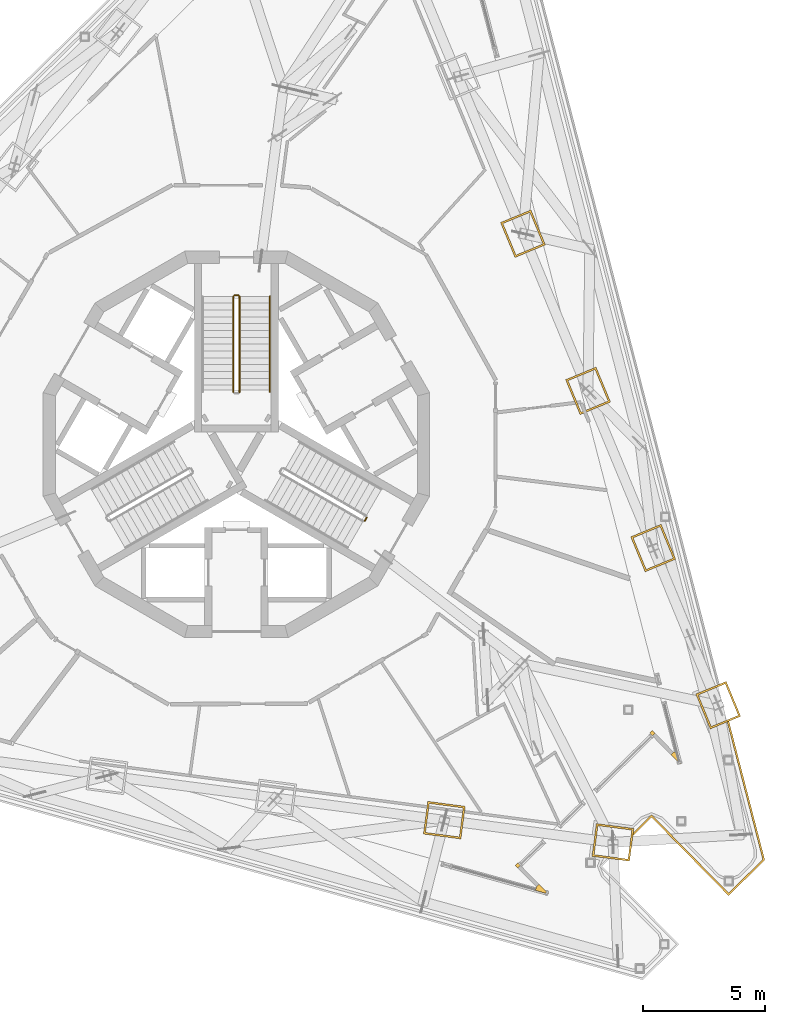
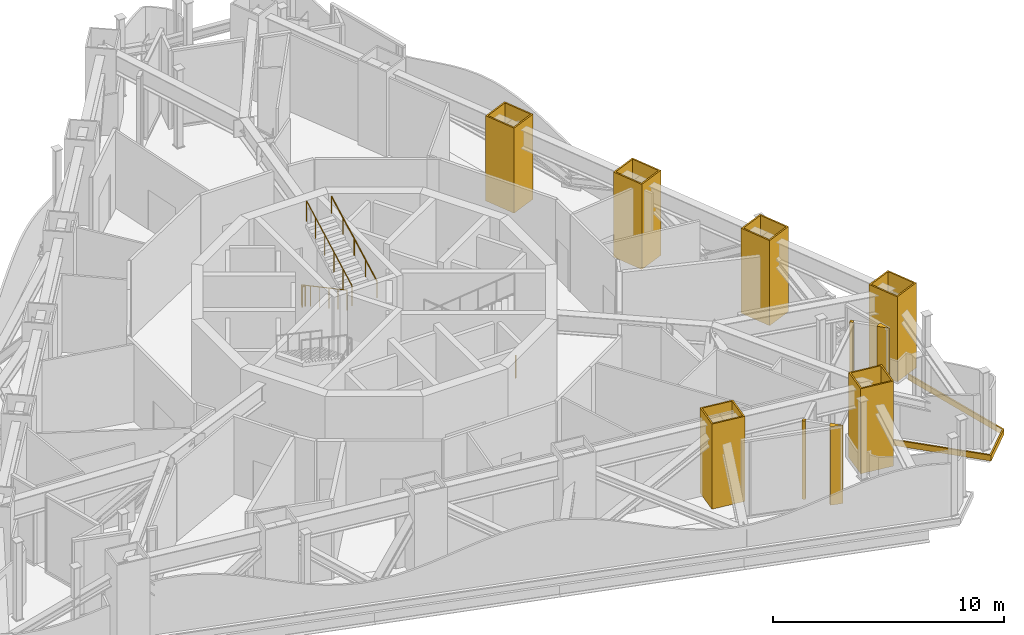
# One storey, part 20 of 22: 11 coverings, 5 railings.
"""IFC4 building model written with IfcOpenShell, lengths in metres."""

from ifc_helpers import new_model, si_unit, direction, frame, origin, origin_2d, place, context, subcontext, project, spatial, polyline, circle, outline, extrude, material, layer, layer_set, type_object, element, save


model = new_model("IFC4")

# Units and contexts
model_context = context("Model", 3, precision=1e-05, world=origin(), true_north=direction((0.0, 1.0)))
body_context = subcontext(model_context, "Body", "Model", "MODEL_VIEW")
ifc_project = project(units=[si_unit("LENGTHUNIT", "METRE"), si_unit("AREAUNIT", "SQUARE_METRE"), si_unit("VOLUMEUNIT", "CUBIC_METRE"), si_unit("PLANEANGLEUNIT", "RADIAN"), si_unit("MASSUNIT", "GRAM", prefix="KILO")], contexts=[model_context])

# Site, building, storey
site_placement = place(None, origin())
site = spatial("IfcSite", under=ifc_project, at=site_placement, CompositionType="ELEMENT")
building_placement = place(site_placement, origin())
building = spatial("IfcBuilding", under=site, at=building_placement, Name="Trine Commons Tower", CompositionType="ELEMENT")
storey_placement = place(building_placement, frame((0.0, 0.0, 267.300048828125)))
storey = spatial("IfcBuildingStorey", under=building, at=storey_placement, Name="L70", CompositionType="ELEMENT", Elevation=267.300048828125)

# Coverings
ifc_material_1 = material(Name="Aluminium-framed insulated wall panel", Category="aluminium")
ifc_layer_1 = layer(ifc_material_1, 0.14990234375)
ifc_layer_set_1 = layer_set([ifc_layer_1], Name="Aluminium-framed insulated wall panel")
covering_type_1 = type_object("IfcCoveringType", Name="Glazing corner post, aluminium", PredefinedType="CLADDING", material=ifc_layer_set_1)
covering_1_placement = place(storey_placement, origin())
element("IfcCovering", 1, at=covering_1_placement, inside=storey, type_object=covering_type_1, Name="Glazing corner post 7-06", PredefinedType="CLADDING", context=body_context, shape_type="SweptSolid", body=[
    extrude(outline(polyline([(97.80859375, 49.78515625), (98.200927734375, 49.3857421875), (98.060791015625, 49.927734375), (97.91552734375, 49.890380859375), (97.91552734375, 49.890380859375), (97.80859375, 49.78515625)])), origin(), (0.0, 0.0, 1.0), 4.14990234375),
])
covering_2_placement = place(storey_placement, origin())
element("IfcCovering", 2, at=covering_2_placement, inside=storey, type_object=covering_type_1, Name="Glazing corner post 7-07", PredefinedType="CLADDING", context=body_context, shape_type="SweptSolid", body=[
    extrude(outline(polyline([(96.9423828125, 50.66650390625), (97.047607421875, 50.5595703125), (97.154541015625, 50.66455078125), (97.04931640625, 50.771484375), (96.9423828125, 50.66650390625)])), origin(), (0.0, 0.0, 1.0), 4.14990234375),
])
covering_3_placement = place(storey_placement, origin())
element("IfcCovering", 3, at=covering_3_placement, inside=storey, type_object=covering_type_1, Name="Glazing corner post 7-08", PredefinedType="CLADDING", context=body_context, shape_type="SweptSolid", body=[
    extrude(outline(polyline([(91.5341796875, 45.1416015625), (91.64111328125, 45.24658203125), (91.535888671875, 45.353515625), (91.428955078125, 45.24853515625), (91.5341796875, 45.1416015625)])), origin(), (0.0, 0.0, 1.0), 4.14990234375),
])
covering_4_placement = place(storey_placement, origin())
element("IfcCovering", 4, at=covering_4_placement, inside=storey, type_object=covering_type_1, Name="Glazing corner post 7-09", PredefinedType="CLADDING", context=body_context, shape_type="SweptSolid", body=[
    extrude(outline(polyline([(92.255126953125, 44.222412109375), (92.79443359375, 44.072998046875), (92.402099609375, 44.47216796875), (92.295166015625, 44.3671875), (92.255126953125, 44.222412109375)])), origin(), (0.0, 0.0, 1.0), 4.14990234375),
])
ifc_material_2 = material(Name="Limestone, honed", Category="masonry")
ifc_layer_2 = layer(ifc_material_2, 0.074951171875)
ifc_layer_set_2 = layer_set([ifc_layer_2], Name="Limestone, honed")
covering_type_2 = type_object("IfcCoveringType", Name="Limestone column cladding 75", PredefinedType="CLADDING", material=ifc_layer_set_2)
covering_5_placement = place(storey_placement, origin())
element("IfcCovering", 5, at=covering_5_placement, inside=storey, type_object=covering_type_2, Name="Limestone pier cladding 8-01", PredefinedType="CLADDING", context=body_context, shape_type="SweptSolid", body=[
    extrude(outline(polyline([(94.75439453125, 46.958984375), (94.578369140625, 45.62060546875), (96.114990234375, 45.418212890625), (96.291259765625, 46.7568359375), (94.75439453125, 46.958984375)]), holes=[polyline([(94.819091796875, 46.875), (94.66259765625, 45.685302734375), (96.050537109375, 45.50244140625), (96.20703125, 46.692138671875), (94.819091796875, 46.875)])]), origin(), (0.0, 0.0, 1.0), 4.5),
])
covering_6_placement = place(storey_placement, origin())
element("IfcCovering", 6, at=covering_6_placement, inside=storey, type_object=covering_type_2, Name="Limestone pier cladding 8-02", PredefinedType="CLADDING", context=body_context, shape_type="SweptSolid", body=[
    extrude(outline(polyline([(87.84130859375, 47.869384765625), (87.665283203125, 46.53076171875), (89.201904296875, 46.32861328125), (89.378173828125, 47.6669921875), (87.84130859375, 47.869384765625)]), holes=[polyline([(87.906005859375, 47.78515625), (87.74951171875, 46.595458984375), (89.137451171875, 46.41259765625), (89.2939453125, 47.602294921875), (87.906005859375, 47.78515625)])]), origin(), (0.0, 0.0, 1.0), 4.5),
])
covering_7_placement = place(storey_placement, origin())
element("IfcCovering", 7, at=covering_7_placement, inside=storey, type_object=covering_type_2, Name="Limestone pier cladding 8-15", PredefinedType="CLADDING", context=body_context, shape_type="SweptSolid", body=[
    extrude(outline(polyline([(92.072265625, 72.113037109375), (90.8251953125, 71.596435546875), (91.418212890625, 70.164306640625), (92.66552734375, 70.680908203125), (92.072265625, 72.113037109375)]), holes=[polyline([(92.03173828125, 72.014892578125), (90.923095703125, 71.555908203125), (91.458984375, 70.262451171875), (92.5673828125, 70.7216796875), (92.03173828125, 72.014892578125)])]), origin(), (0.0, 0.0, 1.0), 4.5),
])
covering_8_placement = place(storey_placement, origin())
element("IfcCovering", 8, at=covering_8_placement, inside=storey, type_object=covering_type_2, Name="Limestone pier cladding 8-16", PredefinedType="CLADDING", context=body_context, shape_type="SweptSolid", body=[
    extrude(outline(polyline([(94.740478515625, 65.6708984375), (93.493408203125, 65.154296875), (94.086669921875, 63.722412109375), (95.333740234375, 64.239013671875), (94.740478515625, 65.6708984375)]), holes=[polyline([(94.699951171875, 65.572998046875), (93.59130859375, 65.11376953125), (94.127197265625, 63.8203125), (95.23583984375, 64.279541015625), (94.699951171875, 65.572998046875)])]), origin(), (0.0, 0.0, 1.0), 4.5),
])
covering_9_placement = place(storey_placement, origin())
element("IfcCovering", 9, at=covering_9_placement, inside=storey, type_object=covering_type_2, Name="Limestone pier cladding 8-17", PredefinedType="CLADDING", context=body_context, shape_type="SweptSolid", body=[
    extrude(outline(polyline([(97.408935546875, 59.22900390625), (96.16162109375, 58.71240234375), (96.7548828125, 57.280517578125), (98.002197265625, 57.797119140625), (97.408935546875, 59.22900390625)]), holes=[polyline([(97.368408203125, 59.131103515625), (96.259765625, 58.671875), (96.79541015625, 57.37841796875), (97.904052734375, 57.837646484375), (97.368408203125, 59.131103515625)])]), origin(), (0.0, 0.0, 1.0), 4.5),
])
covering_10_placement = place(storey_placement, origin())
element("IfcCovering", 10, at=covering_10_placement, inside=storey, type_object=covering_type_2, Name="Limestone pier cladding 8-18", PredefinedType="CLADDING", context=body_context, shape_type="SweptSolid", body=[
    extrude(outline(polyline([(100.077392578125, 52.787109375), (98.830078125, 52.2705078125), (99.42333984375, 50.83837890625), (100.67041015625, 51.35498046875), (100.077392578125, 52.787109375)]), holes=[polyline([(100.03662109375, 52.689208984375), (98.927978515625, 52.22998046875), (99.4638671875, 50.9365234375), (100.572509765625, 51.395751953125), (100.03662109375, 52.689208984375)])]), origin(), (0.0, 0.0, 1.0), 4.5),
])
ifc_layer_3 = layer(ifc_material_2, 0.074951171875)
ifc_layer_set_3 = layer_set([ifc_layer_3], Name="Limestone, honed")
covering_type_3 = type_object("IfcCoveringType", Name="Limestone spandrel panel 75", PredefinedType="CLADDING", material=ifc_layer_set_3)
covering_11_placement = place(storey_placement, frame((0.0, 0.0, -0.300048828125)))
element("IfcCovering", 11, at=covering_11_placement, inside=storey, type_object=covering_type_3, Name="Limestone spandrel panel 7-03", PredefinedType="CLADDING", context=body_context, shape_type="SweptSolid", body=[
    extrude(outline(polyline([(97.018310546875, 47.215087890625), (100.172607421875, 44.00537109375), (101.65771484375, 45.465087890625), (100.186279296875, 51.154541015625), (100.116455078125, 51.12548828125), (101.57421875, 45.488037109375), (100.17333984375, 44.111572265625), (97.019287109375, 47.321044921875), (96.268310546875, 46.583251953125), (96.25244140625, 46.46240234375), (97.018310546875, 47.215087890625)])), origin(), (0.0, 0.0, 1.0), 0.300048828125),
])

# Railings
ifc_material_3 = material(Name="Stainless steel balustrade", Category="steel")
railing_type_1 = type_object("IfcRailingType", Name="Stair guard, steel balustrade 1100", PredefinedType="GUARDRAIL", material=ifc_material_3)
railing_1_placement = place(storey_placement, frame((79.875, 68.570556640625, 0.14990234375)))
element("IfcRailing", 12, at=railing_1_placement, inside=storey, type_object=railing_type_1, Name="L70 ST1D stair guard 1", PredefinedType="GUARDRAIL", context=body_context, shape_type="SweptSolid", body=[
    extrude(circle(Radius=0.02392578125, at=origin_2d()), frame((0.0, 0.0, 1.076171875), z_axis=(0.0, -0.881466911329, 0.472245787945), x_axis=(1.0, 0.0, 0.0)), (0.0, 0.0, 1.0), 4.447021484375),
    extrude(circle(Radius=0.02099609375, at=origin_2d()), origin(), (0.0, 0.0, 1.0), 1.052001953125),
    extrude(circle(Radius=0.02099609375, at=origin_2d()), frame((0.0, -0.783935546875, 0.419921875)), (0.0, 0.0, 1.0), 1.052001953125),
    extrude(circle(Radius=0.02099609375, at=origin_2d()), frame((0.0, -1.56787109375, 0.840087890625)), (0.0, 0.0, 1.0), 1.052001953125),
    extrude(circle(Radius=0.02099609375, at=origin_2d()), frame((0.0, -2.35205078125, 1.260009765625)), (0.0, 0.0, 1.0), 1.052001953125),
    extrude(circle(Radius=0.02099609375, at=origin_2d()), frame((0.0, -3.135986328125, 1.68017578125)), (0.0, 0.0, 1.0), 1.052001953125),
    extrude(circle(Radius=0.02099609375, at=origin_2d()), frame((0.0, -3.919921875, 2.10009765625)), (0.0, 0.0, 1.0), 1.052001953125),
])
railing_2_placement = place(storey_placement, frame((80.125, 64.650634765625, 2.39990234375)))
element("IfcRailing", 13, at=railing_2_placement, inside=storey, type_object=railing_type_1, Name="L70 ST1D stair guard 3", PredefinedType="GUARDRAIL", context=body_context, shape_type="SweptSolid", body=[
    extrude(circle(Radius=0.02392578125, at=origin_2d()), frame((0.0, 0.0, 1.076171875), z_axis=(0.0, 0.881466911329, 0.472245787945), x_axis=(-1.0, 0.0, 0.0)), (0.0, 0.0, 1.0), 4.447021484375),
    extrude(circle(Radius=0.02099609375, at=origin_2d()), origin(), (0.0, 0.0, 1.0), 1.052001953125),
    extrude(circle(Radius=0.02099609375, at=origin_2d()), frame((0.0, 0.783935546875, 0.419921875)), (0.0, 0.0, 1.0), 1.052001953125),
    extrude(circle(Radius=0.02099609375, at=origin_2d()), frame((0.0, 1.56787109375, 0.840087890625)), (0.0, 0.0, 1.0), 1.052001953125),
    extrude(circle(Radius=0.02099609375, at=origin_2d()), frame((0.0, 2.35205078125, 1.260009765625)), (0.0, 0.0, 1.0), 1.052001953125),
    extrude(circle(Radius=0.02099609375, at=origin_2d()), frame((0.0, 3.135986328125, 1.68017578125)), (0.0, 0.0, 1.0), 1.052001953125),
    extrude(circle(Radius=0.02099609375, at=origin_2d()), frame((0.0, 3.919921875, 2.10009765625)), (0.0, 0.0, 1.0), 1.052001953125),
])
railing_3_placement = place(storey_placement, frame((79.925048828125, 68.62060546875, 0.0)))
element("IfcRailing", 14, at=railing_3_placement, inside=storey, type_object=railing_type_1, Name="L70 ST1D stair guard 4", PredefinedType="GUARDRAIL", context=body_context, shape_type="SweptSolid", body=[
    extrude(circle(Radius=0.02392578125, at=origin_2d()), frame((0.0, 0.0, 1.076171875), z_axis=(1.0, 0.0, 0.0), x_axis=(0.0, 1.0, 0.0)), (0.0, 0.0, 1.0), 0.14990234375),
    extrude(circle(Radius=0.02099609375, at=origin_2d()), origin(), (0.0, 0.0, 1.0), 1.052001953125),
    extrude(circle(Radius=0.02099609375, at=origin_2d()), frame((0.14990234375, 0.0, 0.0)), (0.0, 0.0, 1.0), 1.052001953125),
])
railing_4_placement = place(storey_placement, frame((85.338134765625, 59.504638671875, 0.0)))
element("IfcRailing", 15, at=railing_4_placement, inside=storey, type_object=railing_type_1, Name="L70 ST3D stair guard 4", PredefinedType="GUARDRAIL", context=body_context, shape_type="SweptSolid", body=[
    extrude(circle(Radius=0.02392578125, at=origin_2d()), frame((0.0, 0.0, 1.076171875), z_axis=(-0.499816412211, -0.866131372301, 0.0), x_axis=(0.866131372301, -0.499816412211, 0.0)), (0.0, 0.0, 1.0), 0.14990234375),
    extrude(circle(Radius=0.02099609375, at=origin_2d()), origin(), (0.0, 0.0, 1.0), 1.052001953125),
    extrude(circle(Radius=0.02099609375, at=origin_2d()), frame((-0.074951171875, -0.1298828125, 0.0)), (0.0, 0.0, 1.0), 1.052001953125),
])
ifc_material_4 = material(Name="Stainless steel handrail", Category="steel")
railing_type_2 = type_object("IfcRailingType", Name="Stair handrail, steel 900", PredefinedType="HANDRAIL", material=ifc_material_4)
railing_5_placement = place(storey_placement, frame((81.375, 64.650634765625, 2.39990234375)))
element("IfcRailing", 16, at=railing_5_placement, inside=storey, type_object=railing_type_2, Name="L70 ST1D stair handrail 2", PredefinedType="HANDRAIL", context=body_context, shape_type="SweptSolid", body=[
    extrude(circle(Radius=0.02099609375, at=origin_2d()), frame((0.0, 0.0, 0.87890625), z_axis=(0.0, 0.881466911329, 0.472245787945), x_axis=(-1.0, 0.0, 0.0)), (0.0, 0.0, 1.0), 4.447021484375),
    extrude(circle(Radius=0.01513671875, at=origin_2d()), origin(), (0.0, 0.0, 1.0), 0.85791015625),
    extrude(circle(Radius=0.01513671875, at=origin_2d()), frame((0.0, 0.97998046875, 0.52490234375)), (0.0, 0.0, 1.0), 0.85791015625),
    extrude(circle(Radius=0.01513671875, at=origin_2d()), frame((0.0, 1.9599609375, 1.050048828125)), (0.0, 0.0, 1.0), 0.85791015625),
    extrude(circle(Radius=0.01513671875, at=origin_2d()), frame((0.0, 2.93994140625, 1.5751953125)), (0.0, 0.0, 1.0), 0.85791015625),
    extrude(circle(Radius=0.01513671875, at=origin_2d()), frame((0.0, 3.919921875, 2.10009765625)), (0.0, 0.0, 1.0), 0.85791015625),
])

save(model, "model.ifc")
